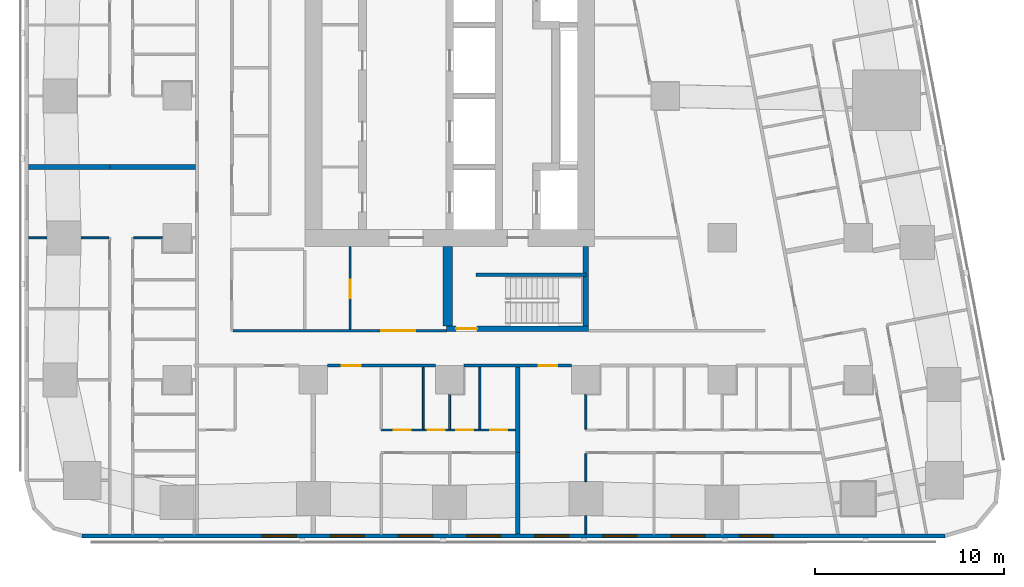
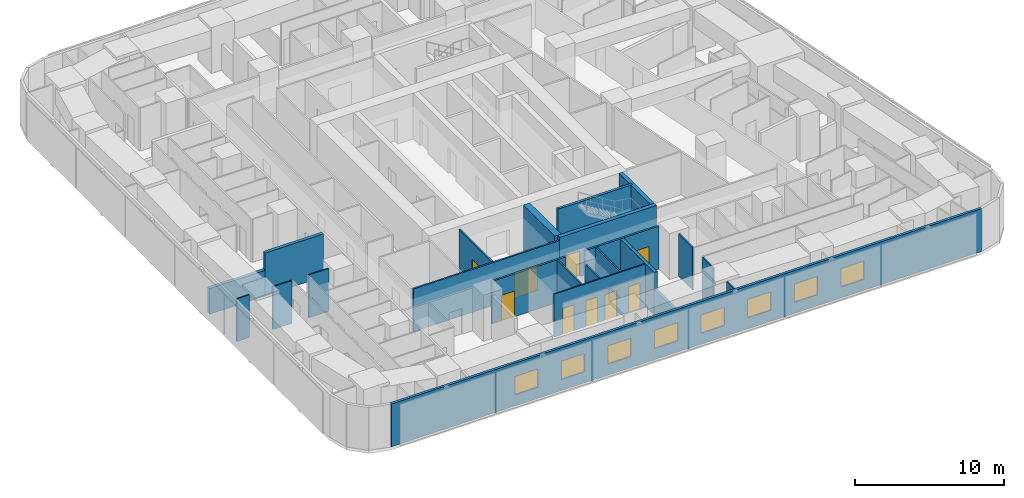
# One storey, part 3 of 15: 23 walls, 9 doors, 8 windows, 17 openings.
"""IFC4 building model written with IfcOpenShell, lengths in metres."""

from ifc_helpers import new_model, si_unit, direction, frame, frame_2d, origin, place, context, subcontext, project, spatial, rectangle, extrude, material, layer, layer_set, type_object, element, fill, save


model = new_model("IFC4")

# Units and contexts
model_context = context("Model", 3, precision=1e-05, world=origin(), true_north=direction((0.0, 1.0)))
body_context = subcontext(model_context, "Body", "Model", "MODEL_VIEW")
ifc_project = project(units=[si_unit("LENGTHUNIT", "METRE"), si_unit("AREAUNIT", "SQUARE_METRE"), si_unit("VOLUMEUNIT", "CUBIC_METRE"), si_unit("PLANEANGLEUNIT", "RADIAN"), si_unit("MASSUNIT", "GRAM", prefix="KILO")], contexts=[model_context])

# Site, building, storey
site_placement = place(None, origin())
site = spatial("IfcSite", under=ifc_project, at=site_placement, CompositionType="ELEMENT")
building_placement = place(site_placement, origin())
building = spatial("IfcBuilding", under=site, at=building_placement, Name="Sheger Commons Tower", CompositionType="ELEMENT")
storey_placement = place(building_placement, frame((0.0, 0.0, 147.050048828125)))
storey = spatial("IfcBuildingStorey", under=building, at=storey_placement, Name="L37", CompositionType="ELEMENT", Elevation=147.050048828125)

# Wall, opening, door
ifc_material_1 = material(Name="Hollow concrete block masonry, skimmed both sides", Category="masonry")
ifc_layer_1 = layer(ifc_material_1, 0.14990234375)
ifc_layer_set_1 = layer_set([ifc_layer_1], Name="CORRIDOR WALL 150")
wall_type_1 = type_object("IfcWallType", Name="CORRIDOR WALL 150", PredefinedType="SOLIDWALL", material=ifc_layer_set_1)
wall_1_placement = place(storey_placement, frame((28.049072265625, 8.25, 0.0), z_axis=(0.0, 0.0, 1.0), x_axis=(-1.0, 0.0, 0.0)))
wall_1 = element("IfcWall", 1, at=wall_1_placement, inside=storey, type_object=wall_type_1, Name="Corridor wall L37", PredefinedType="SOLIDWALL", context=body_context, shape_type="SweptSolid", body=[
    extrude(rectangle(XDim=5.697998046875, YDim=0.14990234375, at=frame_2d((2.84912109375, 0.0))), origin(), (0.0, 0.0, 1.0), 3.5),
])
opening_1_placement = place(wall_1_placement, frame((0.7490234375, 0.0, 0.0)))
opening_1 = element("IfcOpeningElement", 2, at=opening_1_placement, cuts=wall_1, Name="Opening D1", PredefinedType="OPENING", context=body_context, shape_type="SweptSolid", body=[
    extrude(rectangle(XDim=1.0, YDim=2.10009765625, at=frame_2d((0.5, 1.050048828125))), frame((0.0, 0.0849609375, 0.0), z_axis=(0.0, -1.0, 0.0), x_axis=(1.0, 0.0, 0.0)), (0.0, 0.0, 1.0), 0.169921875),
])
ifc_material_2 = material(Name="Steel door set, fire rated", Category="steel")
door_type_1 = type_object("IfcDoorType", Name="FLAT ENTRANCE DOOR 1000x2100", OperationType="NOTDEFINED", PredefinedType="DOOR", material=ifc_material_2)
door_1_placement = place(opening_1_placement, origin())
door_1 = element("IfcDoor", 3, at=door_1_placement, inside=storey, type_object=door_type_1, Name="Flat entrance door", OperationType="SINGLE_SWING_LEFT", OverallHeight=2.10009765625, OverallWidth=1.0, PredefinedType="DOOR", context=body_context, shape_type="SweptSolid", body=[
    extrude(rectangle(XDim=1.0, YDim=2.10009765625, at=frame_2d((0.5, 1.050048828125))), frame((0.0, 0.02490234375, 0.0), z_axis=(0.0, -1.0, 0.0), x_axis=(1.0, 0.0, 0.0)), (0.0, 0.0, 1.0), 0.050048828125),
])
fill(opening_1, door_1)

wall_2_placement = place(storey_placement, frame((20.84912109375, 8.25, 0.0), z_axis=(0.0, 0.0, 1.0), x_axis=(-1.0, 0.0, 0.0)))
wall_2 = element("IfcWall", 4, at=wall_2_placement, inside=storey, type_object=wall_type_1, Name="Corridor wall L37", PredefinedType="SOLIDWALL", context=body_context, shape_type="SweptSolid", body=[
    extrude(rectangle(XDim=5.6982421875, YDim=0.14990234375, at=frame_2d((2.84912109375, 0.0))), origin(), (0.0, 0.0, 1.0), 3.5),
])
opening_2_placement = place(wall_2_placement, frame((3.948974609375, 0.0, 0.0)))
opening_2 = element("IfcOpeningElement", 5, at=opening_2_placement, cuts=wall_2, Name="Opening D1", PredefinedType="OPENING", context=body_context, shape_type="SweptSolid", body=[
    extrude(rectangle(XDim=1.0, YDim=2.10009765625, at=frame_2d((0.5, 1.050048828125))), frame((0.0, 0.0849609375, 0.0), z_axis=(0.0, -1.0, 0.0), x_axis=(1.0, 0.0, 0.0)), (0.0, 0.0, 1.0), 0.169921875),
])
door_2_placement = place(opening_2_placement, origin())
door_2 = element("IfcDoor", 6, at=door_2_placement, inside=storey, type_object=door_type_1, Name="Flat entrance door", OperationType="SINGLE_SWING_RIGHT", OverallHeight=2.10009765625, OverallWidth=1.0, PredefinedType="DOOR", context=body_context, shape_type="SweptSolid", body=[
    extrude(rectangle(XDim=1.0, YDim=2.10009765625, at=frame_2d((0.5, 1.050048828125))), frame((0.0, 0.02490234375, 0.0), z_axis=(0.0, -1.0, 0.0), x_axis=(1.0, 0.0, 0.0)), (0.0, 0.0, 1.0), 0.050048828125),
])
fill(opening_2, door_2)

# Walls
ifc_material_3 = material(Name="Dense concrete block masonry, plastered both sides (separating wall between flats)", Category="masonry")
ifc_layer_2 = layer(ifc_material_3, 0.25)
ifc_layer_set_2 = layer_set([ifc_layer_2], Name="DEMISING WALL 250")
wall_type_2 = type_object("IfcWallType", Name="DEMISING WALL 250", PredefinedType="SOLIDWALL", material=ifc_layer_set_2)
wall_3_placement = place(storey_placement, frame((-0.64990234375, 18.75, 0.0), z_axis=(0.0, 0.0, 1.0), x_axis=(1.0, 0.0, 0.0)))
element("IfcWall", 7, at=wall_3_placement, inside=storey, type_object=wall_type_2, Name="Demising wall L37", PredefinedType="SOLIDWALL", context=body_context, shape_type="SweptSolid", body=[
    extrude(rectangle(XDim=4.2998046875, YDim=0.25, at=frame_2d((2.14990234375, 0.0))), origin(), (0.0, 0.0, 1.0), 2.099853515625),
])
wall_4_placement = place(storey_placement, frame((3.64990234375, 18.75, 0.0), z_axis=(0.0, 0.0, 1.0), x_axis=(1.0, 0.0, 0.0)))
element("IfcWall", 8, at=wall_4_placement, inside=storey, type_object=wall_type_2, Name="Demising wall L37", PredefinedType="SOLIDWALL", context=body_context, shape_type="SweptSolid", body=[
    extrude(rectangle(XDim=4.525146484375, YDim=0.25, at=frame_2d((2.2626953125, 0.0))), origin(), (0.0, 0.0, 1.0), 3.5),
])
wall_5_placement = place(storey_placement, frame((25.199951171875, -0.64990234375, 0.0), z_axis=(0.0, 0.0, 1.0), x_axis=(0.0, 1.0, 0.0)))
element("IfcWall", 9, at=wall_5_placement, inside=storey, type_object=wall_type_2, Name="Demising wall L37", PredefinedType="SOLIDWALL", context=body_context, shape_type="SweptSolid", body=[
    extrude(rectangle(XDim=4.2998046875, YDim=0.25, at=frame_2d((2.14990234375, 0.0))), origin(), (0.0, 0.0, 1.0), 2.099853515625),
])
wall_6_placement = place(storey_placement, frame((25.199951171875, 3.64990234375, 0.0), z_axis=(0.0, 0.0, 1.0), x_axis=(0.0, 1.0, 0.0)))
element("IfcWall", 10, at=wall_6_placement, inside=storey, type_object=wall_type_2, Name="Demising wall L37", PredefinedType="SOLIDWALL", context=body_context, shape_type="SweptSolid", body=[
    extrude(rectangle(XDim=4.525146484375, YDim=0.25, at=frame_2d((2.2626953125, 0.0))), origin(), (0.0, 0.0, 1.0), 3.5),
])

# Wall, openings, windows
ifc_material_4 = material(Name="Rendered concrete block masonry, dark grey", Category="masonry")
ifc_layer_3 = layer(ifc_material_4, 0.199951171875)
ifc_layer_set_3 = layer_set([ifc_layer_3], Name="FACADE WALL 200")
wall_type_3 = type_object("IfcWallType", Name="FACADE WALL 200", PredefinedType="SOLIDWALL", material=ifc_layer_set_3)
wall_7_placement = place(storey_placement, frame((2.1630859375, -0.75, 0.0), z_axis=(0.0, 0.0, 1.0), x_axis=(1.0, 0.0, 0.0)))
wall_7 = element("IfcWall", 11, at=wall_7_placement, inside=storey, type_object=wall_type_3, Name="Facade wall L37", PredefinedType="SOLIDWALL", context=body_context, shape_type="SweptSolid", body=[
    extrude(rectangle(XDim=45.6279296875, YDim=0.199951171875, at=frame_2d((22.81396484375, 0.0))), origin(), (0.0, 0.0, 1.0), 3.5),
])
opening_3_placement = place(wall_7_placement, frame((9.537109375, 0.0, 0.89990234375)))
opening_3 = element("IfcOpeningElement", 12, at=opening_3_placement, cuts=wall_7, Name="Opening W2", PredefinedType="OPENING", context=body_context, shape_type="SweptSolid", body=[
    extrude(rectangle(XDim=1.800048828125, YDim=1.5, at=frame_2d((0.89990234375, 0.75))), frame((0.0, 0.10986328125, 0.0), z_axis=(0.0, -1.0, 0.0), x_axis=(1.0, 0.0, 0.0)), (0.0, 0.0, 1.0), 0.219970703125),
])
opening_4_placement = place(wall_7_placement, frame((13.136962890625, 0.0, 0.89990234375)))
opening_4 = element("IfcOpeningElement", 13, at=opening_4_placement, cuts=wall_7, Name="Opening W2", PredefinedType="OPENING", context=body_context, shape_type="SweptSolid", body=[
    extrude(rectangle(XDim=1.800048828125, YDim=1.5, at=frame_2d((0.89990234375, 0.75))), frame((0.0, 0.10986328125, 0.0), z_axis=(0.0, -1.0, 0.0), x_axis=(1.0, 0.0, 0.0)), (0.0, 0.0, 1.0), 0.219970703125),
])
opening_5_placement = place(wall_7_placement, frame((16.737060546875, 0.0, 0.89990234375)))
opening_5 = element("IfcOpeningElement", 14, at=opening_5_placement, cuts=wall_7, Name="Opening W2", PredefinedType="OPENING", context=body_context, shape_type="SweptSolid", body=[
    extrude(rectangle(XDim=1.800048828125, YDim=1.5, at=frame_2d((0.89990234375, 0.75))), frame((0.0, 0.10986328125, 0.0), z_axis=(0.0, -1.0, 0.0), x_axis=(1.0, 0.0, 0.0)), (0.0, 0.0, 1.0), 0.219970703125),
])
opening_6_placement = place(wall_7_placement, frame((20.3369140625, 0.0, 0.89990234375)))
opening_6 = element("IfcOpeningElement", 15, at=opening_6_placement, cuts=wall_7, Name="Opening W2", PredefinedType="OPENING", context=body_context, shape_type="SweptSolid", body=[
    extrude(rectangle(XDim=1.800048828125, YDim=1.5, at=frame_2d((0.89990234375, 0.75))), frame((0.0, 0.10986328125, 0.0), z_axis=(0.0, -1.0, 0.0), x_axis=(1.0, 0.0, 0.0)), (0.0, 0.0, 1.0), 0.219970703125),
])
opening_7_placement = place(wall_7_placement, frame((23.93701171875, 0.0, 0.89990234375)))
opening_7 = element("IfcOpeningElement", 16, at=opening_7_placement, cuts=wall_7, Name="Opening W2", PredefinedType="OPENING", context=body_context, shape_type="SweptSolid", body=[
    extrude(rectangle(XDim=1.800048828125, YDim=1.5, at=frame_2d((0.89990234375, 0.75))), frame((0.0, 0.10986328125, 0.0), z_axis=(0.0, -1.0, 0.0), x_axis=(1.0, 0.0, 0.0)), (0.0, 0.0, 1.0), 0.219970703125),
])
opening_8_placement = place(wall_7_placement, frame((27.537109375, 0.0, 0.89990234375)))
opening_8 = element("IfcOpeningElement", 17, at=opening_8_placement, cuts=wall_7, Name="Opening W2", PredefinedType="OPENING", context=body_context, shape_type="SweptSolid", body=[
    extrude(rectangle(XDim=1.800048828125, YDim=1.5, at=frame_2d((0.89990234375, 0.75))), frame((0.0, 0.10986328125, 0.0), z_axis=(0.0, -1.0, 0.0), x_axis=(1.0, 0.0, 0.0)), (0.0, 0.0, 1.0), 0.219970703125),
])
opening_9_placement = place(wall_7_placement, frame((31.136962890625, 0.0, 0.89990234375)))
opening_9 = element("IfcOpeningElement", 18, at=opening_9_placement, cuts=wall_7, Name="Opening W2", PredefinedType="OPENING", context=body_context, shape_type="SweptSolid", body=[
    extrude(rectangle(XDim=1.800048828125, YDim=1.5, at=frame_2d((0.89990234375, 0.75))), frame((0.0, 0.10986328125, 0.0), z_axis=(0.0, -1.0, 0.0), x_axis=(1.0, 0.0, 0.0)), (0.0, 0.0, 1.0), 0.219970703125),
])
opening_10_placement = place(wall_7_placement, frame((34.737060546875, 0.0, 0.89990234375)))
opening_10 = element("IfcOpeningElement", 19, at=opening_10_placement, cuts=wall_7, Name="Opening W2", PredefinedType="OPENING", context=body_context, shape_type="SweptSolid", body=[
    extrude(rectangle(XDim=1.800048828125, YDim=1.5, at=frame_2d((0.89990234375, 0.75))), frame((0.0, 0.10986328125, 0.0), z_axis=(0.0, -1.0, 0.0), x_axis=(1.0, 0.0, 0.0)), (0.0, 0.0, 1.0), 0.219970703125),
])
ifc_material_5 = material(Name="Black aluminium frame, dark tinted double glazing", Category="aluminium")
window_type = type_object("IfcWindowType", Name="WINDOW W2 1800x1500", PartitioningType="SINGLE_PANEL", PredefinedType="WINDOW", material=ifc_material_5)
window_1_placement = place(opening_3_placement, origin())
window_1 = element("IfcWindow", 20, at=window_1_placement, inside=storey, type_object=window_type, Name="Window W2 1800X1500", OverallHeight=1.5, OverallWidth=1.800048828125, PartitioningType="SINGLE_PANEL", PredefinedType="WINDOW", context=body_context, shape_type="SweptSolid", body=[
    extrude(rectangle(XDim=1.800048828125, YDim=1.5, at=frame_2d((0.89990234375, 0.75))), frame((0.0, 0.030029296875, 0.0), z_axis=(0.0, -1.0, 0.0), x_axis=(1.0, 0.0, 0.0)), (0.0, 0.0, 1.0), 0.06005859375),
])
fill(opening_3, window_1)
window_2_placement = place(opening_4_placement, origin())
window_2 = element("IfcWindow", 21, at=window_2_placement, inside=storey, type_object=window_type, Name="Window W2 1800X1500", OverallHeight=1.5, OverallWidth=1.800048828125, PartitioningType="SINGLE_PANEL", PredefinedType="WINDOW", context=body_context, shape_type="SweptSolid", body=[
    extrude(rectangle(XDim=1.800048828125, YDim=1.5, at=frame_2d((0.89990234375, 0.75))), frame((0.0, 0.030029296875, 0.0), z_axis=(0.0, -1.0, 0.0), x_axis=(1.0, 0.0, 0.0)), (0.0, 0.0, 1.0), 0.06005859375),
])
fill(opening_4, window_2)
window_3_placement = place(opening_5_placement, origin())
window_3 = element("IfcWindow", 22, at=window_3_placement, inside=storey, type_object=window_type, Name="Window W2 1800X1500", OverallHeight=1.5, OverallWidth=1.800048828125, PartitioningType="SINGLE_PANEL", PredefinedType="WINDOW", context=body_context, shape_type="SweptSolid", body=[
    extrude(rectangle(XDim=1.800048828125, YDim=1.5, at=frame_2d((0.89990234375, 0.75))), frame((0.0, 0.030029296875, 0.0), z_axis=(0.0, -1.0, 0.0), x_axis=(1.0, 0.0, 0.0)), (0.0, 0.0, 1.0), 0.06005859375),
])
fill(opening_5, window_3)
window_4_placement = place(opening_6_placement, origin())
window_4 = element("IfcWindow", 23, at=window_4_placement, inside=storey, type_object=window_type, Name="Window W2 1800X1500", OverallHeight=1.5, OverallWidth=1.800048828125, PartitioningType="SINGLE_PANEL", PredefinedType="WINDOW", context=body_context, shape_type="SweptSolid", body=[
    extrude(rectangle(XDim=1.800048828125, YDim=1.5, at=frame_2d((0.89990234375, 0.75))), frame((0.0, 0.030029296875, 0.0), z_axis=(0.0, -1.0, 0.0), x_axis=(1.0, 0.0, 0.0)), (0.0, 0.0, 1.0), 0.06005859375),
])
fill(opening_6, window_4)
window_5_placement = place(opening_7_placement, origin())
window_5 = element("IfcWindow", 24, at=window_5_placement, inside=storey, type_object=window_type, Name="Window W2 1800X1500", OverallHeight=1.5, OverallWidth=1.800048828125, PartitioningType="SINGLE_PANEL", PredefinedType="WINDOW", context=body_context, shape_type="SweptSolid", body=[
    extrude(rectangle(XDim=1.800048828125, YDim=1.5, at=frame_2d((0.89990234375, 0.75))), frame((0.0, 0.030029296875, 0.0), z_axis=(0.0, -1.0, 0.0), x_axis=(1.0, 0.0, 0.0)), (0.0, 0.0, 1.0), 0.06005859375),
])
fill(opening_7, window_5)
window_6_placement = place(opening_8_placement, origin())
window_6 = element("IfcWindow", 25, at=window_6_placement, inside=storey, type_object=window_type, Name="Window W2 1800X1500", OverallHeight=1.5, OverallWidth=1.800048828125, PartitioningType="SINGLE_PANEL", PredefinedType="WINDOW", context=body_context, shape_type="SweptSolid", body=[
    extrude(rectangle(XDim=1.800048828125, YDim=1.5, at=frame_2d((0.89990234375, 0.75))), frame((0.0, 0.030029296875, 0.0), z_axis=(0.0, -1.0, 0.0), x_axis=(1.0, 0.0, 0.0)), (0.0, 0.0, 1.0), 0.06005859375),
])
fill(opening_8, window_6)
window_7_placement = place(opening_9_placement, origin())
window_7 = element("IfcWindow", 26, at=window_7_placement, inside=storey, type_object=window_type, Name="Window W2 1800X1500", OverallHeight=1.5, OverallWidth=1.800048828125, PartitioningType="SINGLE_PANEL", PredefinedType="WINDOW", context=body_context, shape_type="SweptSolid", body=[
    extrude(rectangle(XDim=1.800048828125, YDim=1.5, at=frame_2d((0.89990234375, 0.75))), frame((0.0, 0.030029296875, 0.0), z_axis=(0.0, -1.0, 0.0), x_axis=(1.0, 0.0, 0.0)), (0.0, 0.0, 1.0), 0.06005859375),
])
fill(opening_9, window_7)
window_8_placement = place(opening_10_placement, origin())
window_8 = element("IfcWindow", 27, at=window_8_placement, inside=storey, type_object=window_type, Name="Window W2 1800X1500", OverallHeight=1.5, OverallWidth=1.800048828125, PartitioningType="SINGLE_PANEL", PredefinedType="WINDOW", context=body_context, shape_type="SweptSolid", body=[
    extrude(rectangle(XDim=1.800048828125, YDim=1.5, at=frame_2d((0.89990234375, 0.75))), frame((0.0, 0.030029296875, 0.0), z_axis=(0.0, -1.0, 0.0), x_axis=(1.0, 0.0, 0.0)), (0.0, 0.0, 1.0), 0.06005859375),
])
fill(opening_10, window_8)

# Walls
ifc_material_6 = material(Name="Gypsum board on steel studs", Category="steel")
ifc_layer_4 = layer(ifc_material_6, 0.10009765625)
ifc_layer_set_4 = layer_set([ifc_layer_4], Name="PARTITION 100")
wall_type_4 = type_object("IfcWallType", Name="PARTITION 100", PredefinedType="PARTITIONING", material=ifc_layer_set_4)
wall_8_placement = place(storey_placement, frame((-0.64990234375, 15.0, 0.0), z_axis=(0.0, 0.0, 1.0), x_axis=(1.0, 0.0, 0.0)))
element("IfcWall", 28, at=wall_8_placement, inside=storey, type_object=wall_type_4, Name="Partition L37", PredefinedType="PARTITIONING", context=body_context, shape_type="SweptSolid", body=[
    extrude(rectangle(XDim=0.973876953125, YDim=0.10009765625, at=frame_2d((0.48681640625, 0.0))), origin(), (0.0, 0.0, 1.0), 3.5),
])
wall_9_placement = place(storey_placement, frame((2.1259765625, 15.0, 0.0), z_axis=(0.0, 0.0, 1.0), x_axis=(1.0, 0.0, 0.0)))
element("IfcWall", 29, at=wall_9_placement, inside=storey, type_object=wall_type_4, Name="Partition L37", PredefinedType="PARTITIONING", context=body_context, shape_type="SweptSolid", body=[
    extrude(rectangle(XDim=1.47412109375, YDim=0.10009765625, at=frame_2d((0.737060546875, 0.0))), origin(), (0.0, 0.0, 1.0), 3.5),
])
wall_10_placement = place(storey_placement, frame((4.89990234375, 15.0, 0.0), z_axis=(0.0, 0.0, 1.0), x_axis=(1.0, 0.0, 0.0)))
element("IfcWall", 30, at=wall_10_placement, inside=storey, type_object=wall_type_4, Name="Partition L37", PredefinedType="PARTITIONING", context=body_context, shape_type="SweptSolid", body=[
    extrude(rectangle(XDim=1.549072265625, YDim=0.10009765625, at=frame_2d((0.7744140625, 0.0))), origin(), (0.0, 0.0, 1.0), 3.5),
])

# Wall, openings, doors
wall_11_placement = place(storey_placement, frame((25.074951171875, 4.85009765625, 0.0), z_axis=(0.0, 0.0, 1.0), x_axis=(-1.0, 0.0, 0.0)))
wall_11 = element("IfcWall", 31, at=wall_11_placement, inside=storey, type_object=wall_type_4, Name="Partition L37", PredefinedType="PARTITIONING", context=body_context, shape_type="SweptSolid", body=[
    extrude(rectangle(XDim=7.074951171875, YDim=0.10009765625, at=frame_2d((3.53759765625, 0.0))), origin(), (0.0, 0.0, 1.0), 3.5),
])
opening_11_placement = place(wall_11_placement, frame((5.52001953125, 0.0, 0.0)))
opening_11 = element("IfcOpeningElement", 32, at=opening_11_placement, cuts=wall_11, Name="Opening D2", PredefinedType="OPENING", context=body_context, shape_type="SweptSolid", body=[
    extrude(rectangle(XDim=0.89990234375, YDim=2.10009765625, at=frame_2d((0.449951171875, 1.050048828125))), frame((0.0, 0.06005859375, 0.0), z_axis=(0.0, -1.0, 0.0), x_axis=(1.0, 0.0, 0.0)), (0.0, 0.0, 1.0), 0.1201171875),
])
opening_12_placement = place(wall_11_placement, frame((2.22509765625, 0.0, 0.0)))
opening_12 = element("IfcOpeningElement", 33, at=opening_12_placement, cuts=wall_11, Name="Opening D2", PredefinedType="OPENING", context=body_context, shape_type="SweptSolid", body=[
    extrude(rectangle(XDim=0.89990234375, YDim=2.10009765625, at=frame_2d((0.449951171875, 1.050048828125))), frame((0.0, 0.06005859375, 0.0), z_axis=(0.0, -1.0, 0.0), x_axis=(1.0, 0.0, 0.0)), (0.0, 0.0, 1.0), 0.1201171875),
])
opening_13_placement = place(wall_11_placement, frame((3.719970703125, 0.0, 0.0)))
opening_13 = element("IfcOpeningElement", 34, at=opening_13_placement, cuts=wall_11, Name="Opening D2", PredefinedType="OPENING", context=body_context, shape_type="SweptSolid", body=[
    extrude(rectangle(XDim=0.89990234375, YDim=2.10009765625, at=frame_2d((0.449951171875, 1.050048828125))), frame((0.0, 0.06005859375, 0.0), z_axis=(0.0, -1.0, 0.0), x_axis=(1.0, 0.0, 0.0)), (0.0, 0.0, 1.0), 0.1201171875),
])
opening_14_placement = place(wall_11_placement, frame((0.425048828125, 0.0, 0.0)))
opening_14 = element("IfcOpeningElement", 35, at=opening_14_placement, cuts=wall_11, Name="Opening D2", PredefinedType="OPENING", context=body_context, shape_type="SweptSolid", body=[
    extrude(rectangle(XDim=0.89990234375, YDim=2.10009765625, at=frame_2d((0.449951171875, 1.050048828125))), frame((0.0, 0.06005859375, 0.0), z_axis=(0.0, -1.0, 0.0), x_axis=(1.0, 0.0, 0.0)), (0.0, 0.0, 1.0), 0.1201171875),
])
ifc_material_7 = material(Name="Timber door set", Category="wood")
door_type_2 = type_object("IfcDoorType", Name="INTERNAL DOOR 900x2100", OperationType="NOTDEFINED", PredefinedType="DOOR", material=ifc_material_7)
door_3_placement = place(opening_11_placement, origin())
door_3 = element("IfcDoor", 36, at=door_3_placement, inside=storey, type_object=door_type_2, Name="Bathroom door", OperationType="SINGLE_SWING_LEFT", OverallHeight=2.10009765625, OverallWidth=0.89990234375, PredefinedType="DOOR", context=body_context, shape_type="SweptSolid", body=[
    extrude(rectangle(XDim=0.89990234375, YDim=2.10009765625, at=frame_2d((0.449951171875, 1.050048828125))), frame((0.0, 0.02490234375, 0.0), z_axis=(0.0, -1.0, 0.0), x_axis=(1.0, 0.0, 0.0)), (0.0, 0.0, 1.0), 0.050048828125),
])
fill(opening_11, door_3)
door_4_placement = place(opening_12_placement, origin())
door_4 = element("IfcDoor", 37, at=door_4_placement, inside=storey, type_object=door_type_2, Name="Shower room door", OperationType="SINGLE_SWING_LEFT", OverallHeight=2.10009765625, OverallWidth=0.89990234375, PredefinedType="DOOR", context=body_context, shape_type="SweptSolid", body=[
    extrude(rectangle(XDim=0.89990234375, YDim=2.10009765625, at=frame_2d((0.449951171875, 1.050048828125))), frame((0.0, 0.02490234375, 0.0), z_axis=(0.0, -1.0, 0.0), x_axis=(1.0, 0.0, 0.0)), (0.0, 0.0, 1.0), 0.050048828125),
])
fill(opening_12, door_4)
door_5_placement = place(opening_13_placement, origin())
door_5 = element("IfcDoor", 38, at=door_5_placement, inside=storey, type_object=door_type_2, Name="Store door", OperationType="SINGLE_SWING_LEFT", OverallHeight=2.10009765625, OverallWidth=0.89990234375, PredefinedType="DOOR", context=body_context, shape_type="SweptSolid", body=[
    extrude(rectangle(XDim=0.89990234375, YDim=2.10009765625, at=frame_2d((0.449951171875, 1.050048828125))), frame((0.0, 0.02490234375, 0.0), z_axis=(0.0, -1.0, 0.0), x_axis=(1.0, 0.0, 0.0)), (0.0, 0.0, 1.0), 0.050048828125),
])
fill(opening_13, door_5)
door_6_placement = place(opening_14_placement, origin())
door_6 = element("IfcDoor", 39, at=door_6_placement, inside=storey, type_object=door_type_2, Name="Store door", OperationType="SINGLE_SWING_RIGHT", OverallHeight=2.10009765625, OverallWidth=0.89990234375, PredefinedType="DOOR", context=body_context, shape_type="SweptSolid", body=[
    extrude(rectangle(XDim=0.89990234375, YDim=2.10009765625, at=frame_2d((0.449951171875, 1.050048828125))), frame((0.0, 0.02490234375, 0.0), z_axis=(0.0, -1.0, 0.0), x_axis=(1.0, 0.0, 0.0)), (0.0, 0.0, 1.0), 0.050048828125),
])
fill(opening_14, door_6)

# Walls
wall_12_placement = place(storey_placement, frame((21.60009765625, 4.89990234375, 0.0), z_axis=(0.0, 0.0, 1.0), x_axis=(0.0, 1.0, 0.0)))
element("IfcWall", 40, at=wall_12_placement, inside=storey, type_object=wall_type_4, Name="Partition L37", PredefinedType="PARTITIONING", context=body_context, shape_type="SweptSolid", body=[
    extrude(rectangle(XDim=1.84912109375, YDim=0.10009765625, at=frame_2d((0.924560546875, 0.0))), origin(), (0.0, 0.0, 1.0), 3.5),
])
for number, where, z_axis, x_axis, name in (
    (41, (20.2099609375, 4.89990234375, 0.0), (0.0, 0.0, 1.0), (0.0, 1.0, 0.0), "Partition L37"),
    (42, (23.199951171875, 4.89990234375, 0.0), (0.0, 0.0, 1.0), (0.0, 1.0, 0.0), "Partition L37"),
):
    element("IfcWall", number, at=place(storey_placement, frame(where, z_axis=z_axis, x_axis=x_axis)), inside=storey, type_object=wall_type_4, Name=name, PredefinedType="PARTITIONING", context=body_context, shape_type="SweptSolid", body=[
        extrude(rectangle(XDim=3.275146484375, YDim=0.10009765625, at=frame_2d((1.6376953125, 0.0))), origin(), (0.0, 0.0, 1.0), 3.5),
    ])
wall_13_placement = place(storey_placement, frame((28.800048828125, -0.64990234375, 0.0), z_axis=(0.0, 0.0, 1.0), x_axis=(0.0, 1.0, 0.0)))
element("IfcWall", 43, at=wall_13_placement, inside=storey, type_object=wall_type_4, Name="Partition L37", PredefinedType="PARTITIONING", context=body_context, shape_type="SweptSolid", body=[
    extrude(rectangle(XDim=0.973876953125, YDim=0.10009765625, at=frame_2d((0.48681640625, 0.0))), origin(), (0.0, 0.0, 1.0), 3.5),
])
wall_14_placement = place(storey_placement, frame((28.800048828125, 2.1259765625, 0.0), z_axis=(0.0, 0.0, 1.0), x_axis=(0.0, 1.0, 0.0)))
element("IfcWall", 44, at=wall_14_placement, inside=storey, type_object=wall_type_4, Name="Partition L37", PredefinedType="PARTITIONING", context=body_context, shape_type="SweptSolid", body=[
    extrude(rectangle(XDim=1.47412109375, YDim=0.10009765625, at=frame_2d((0.737060546875, 0.0))), origin(), (0.0, 0.0, 1.0), 3.5),
])
wall_15_placement = place(storey_placement, frame((28.800048828125, 4.89990234375, 0.0), z_axis=(0.0, 0.0, 1.0), x_axis=(0.0, 1.0, 0.0)))
element("IfcWall", 45, at=wall_15_placement, inside=storey, type_object=wall_type_4, Name="Partition L37", PredefinedType="PARTITIONING", context=body_context, shape_type="SweptSolid", body=[
    extrude(rectangle(XDim=1.84912109375, YDim=0.10009765625, at=frame_2d((0.924560546875, 0.0))), origin(), (0.0, 0.0, 1.0), 3.5),
])

# Wall, opening, door
ifc_material_8 = material(Name="Gypsum board on steel studs, two layers each side, fire rated", Category="steel")
ifc_layer_5 = layer(ifc_material_8, 0.125)
ifc_layer_set_5 = layer_set([ifc_layer_5], Name="SERVICE WALL 125")
wall_type_5 = type_object("IfcWallType", Name="SERVICE WALL 125", PredefinedType="PARTITIONING", material=ifc_layer_set_5)
wall_16_placement = place(storey_placement, frame((10.162109375, 10.10009765625, 0.0), z_axis=(0.0, 0.0, 1.0), x_axis=(1.0, 0.0, 0.0)))
wall_16 = element("IfcWall", 46, at=wall_16_placement, inside=storey, type_object=wall_type_5, Name="Service room wall L37", PredefinedType="PARTITIONING", context=body_context, shape_type="SweptSolid", body=[
    extrude(rectangle(XDim=11.287841796875, YDim=0.125, at=frame_2d((5.64404296875, 0.0))), origin(), (0.0, 0.0, 1.0), 3.5),
])
opening_15_placement = place(wall_16_placement, frame((7.8330078125, 0.0, 0.0)))
opening_15 = element("IfcOpeningElement", 47, at=opening_15_placement, cuts=wall_16, Name="Opening D6", PredefinedType="OPENING", context=body_context, shape_type="SweptSolid", body=[
    extrude(rectangle(XDim=1.800048828125, YDim=2.10009765625, at=frame_2d((0.89990234375, 1.050048828125))), frame((0.0, 0.072509765625, 0.0), z_axis=(0.0, -1.0, 0.0), x_axis=(1.0, 0.0, 0.0)), (0.0, 0.0, 1.0), 0.14501953125),
])
ifc_material_9 = material(Name="Steel door set, fire rated", Category="steel")
door_type_3 = type_object("IfcDoorType", Name="LOBBY DOUBLE DOOR 1800x2100", OperationType="DOUBLE_DOOR_SINGLE_SWING", PredefinedType="DOOR", material=ifc_material_9)
door_7_placement = place(opening_15_placement, origin())
door_7 = element("IfcDoor", 48, at=door_7_placement, inside=storey, type_object=door_type_3, Name="Lift lobby south door", OperationType="DOUBLE_DOOR_SINGLE_SWING", OverallHeight=2.10009765625, OverallWidth=1.800048828125, PredefinedType="DOOR", context=body_context, shape_type="SweptSolid", body=[
    extrude(rectangle(XDim=1.800048828125, YDim=2.10009765625, at=frame_2d((0.89990234375, 1.050048828125))), frame((0.0, 0.02490234375, 0.0), z_axis=(0.0, -1.0, 0.0), x_axis=(1.0, 0.0, 0.0)), (0.0, 0.0, 1.0), 0.050048828125),
])
fill(opening_15, door_7)

wall_17_placement = place(storey_placement, frame((16.340087890625, 10.1630859375, 0.0), z_axis=(0.0, 0.0, 1.0), x_axis=(0.0, 1.0, 0.0)))
wall_17 = element("IfcWall", 49, at=wall_17_placement, inside=storey, type_object=wall_type_5, Name="Service room wall L37", PredefinedType="PARTITIONING", context=body_context, shape_type="SweptSolid", body=[
    extrude(rectangle(XDim=4.386962890625, YDim=0.125, at=frame_2d((2.193359375, 0.0))), origin(), (0.0, 0.0, 1.0), 3.5),
])
opening_16_placement = place(wall_17_placement, frame((1.636962890625, 0.0, 0.0)))
opening_16 = element("IfcOpeningElement", 50, at=opening_16_placement, cuts=wall_17, Name="Opening D4", PredefinedType="OPENING", context=body_context, shape_type="SweptSolid", body=[
    extrude(rectangle(XDim=1.0, YDim=2.10009765625, at=frame_2d((0.5, 1.050048828125))), frame((0.0, 0.072509765625, 0.0), z_axis=(0.0, -1.0, 0.0), x_axis=(1.0, 0.0, 0.0)), (0.0, 0.0, 1.0), 0.14501953125),
])
ifc_material_10 = material(Name="Steel door set, fire rated", Category="steel")
door_type_4 = type_object("IfcDoorType", Name="SERVICE DOOR 1000x2100", OperationType="NOTDEFINED", PredefinedType="DOOR", material=ifc_material_10)
door_8_placement = place(opening_16_placement, origin())
door_8 = element("IfcDoor", 51, at=door_8_placement, inside=storey, type_object=door_type_4, Name="Electrical room door", OperationType="SINGLE_SWING_LEFT", OverallHeight=2.10009765625, OverallWidth=1.0, PredefinedType="DOOR", context=body_context, shape_type="SweptSolid", body=[
    extrude(rectangle(XDim=1.0, YDim=2.10009765625, at=frame_2d((0.5, 1.050048828125))), frame((0.0, 0.02490234375, 0.0), z_axis=(0.0, -1.0, 0.0), x_axis=(1.0, 0.0, 0.0)), (0.0, 0.0, 1.0), 0.050048828125),
])
fill(opening_16, door_8)

ifc_material_11 = material(Name="Concrete C50/60", Category="concrete")
ifc_layer_6 = layer(ifc_material_11, 0.300048828125)
ifc_layer_set_6 = layer_set([ifc_layer_6], Name="STAIR CORE WALL 300")
wall_type_6 = type_object("IfcWallType", Name="STAIR CORE WALL 300", PredefinedType="SHEAR", material=ifc_layer_set_6)
wall_18_placement = place(storey_placement, frame((21.449951171875, 10.199951171875, 0.0), z_axis=(0.0, 0.0, 1.0), x_axis=(1.0, 0.0, 0.0)))
wall_18 = element("IfcWall", 52, at=wall_18_placement, inside=storey, type_object=wall_type_6, Name="STW-L37-S1S", PredefinedType="SHEAR", context=body_context, shape_type="SweptSolid", body=[
    extrude(rectangle(XDim=7.5, YDim=0.300048828125, at=frame_2d((3.75, 0.0))), origin(), (0.0, 0.0, 1.0), 3.75),
])
opening_17_placement = place(wall_18_placement, frame((0.5, 0.0, 0.0)))
opening_17 = element("IfcOpeningElement", 53, at=opening_17_placement, cuts=wall_18, Name="Opening D5", PredefinedType="OPENING", context=body_context, shape_type="SweptSolid", body=[
    extrude(rectangle(XDim=1.10009765625, YDim=2.10009765625, at=frame_2d((0.550048828125, 1.050048828125))), frame((0.0, 0.159912109375, 0.0), z_axis=(0.0, -1.0, 0.0), x_axis=(1.0, 0.0, 0.0)), (0.0, 0.0, 1.0), 0.320068359375),
])
ifc_material_12 = material(Name="Steel door set, fire rated", Category="steel")
door_type_5 = type_object("IfcDoorType", Name="STAIR DOOR 1100x2100", OperationType="NOTDEFINED", PredefinedType="DOOR", material=ifc_material_12)
door_9_placement = place(opening_17_placement, origin())
door_9 = element("IfcDoor", 54, at=door_9_placement, inside=storey, type_object=door_type_5, Name="Stair S1 door", OperationType="SINGLE_SWING_LEFT", OverallHeight=2.10009765625, OverallWidth=1.10009765625, PredefinedType="DOOR", context=body_context, shape_type="SweptSolid", body=[
    extrude(rectangle(XDim=1.10009765625, YDim=2.10009765625, at=frame_2d((0.550048828125, 1.050048828125))), frame((0.0, 0.02490234375, 0.0), z_axis=(0.0, -1.0, 0.0), x_axis=(1.0, 0.0, 0.0)), (0.0, 0.0, 1.0), 0.050048828125),
])
fill(opening_17, door_9)

# Walls
wall_19_placement = place(storey_placement, frame((28.800048828125, 10.35009765625, 0.0), z_axis=(0.0, 0.0, 1.0), x_axis=(0.0, 1.0, 0.0)))
element("IfcWall", 55, at=wall_19_placement, inside=storey, type_object=wall_type_6, Name="STW-L37-S1E", PredefinedType="SHEAR", context=body_context, shape_type="SweptSolid", body=[
    extrude(rectangle(XDim=4.199951171875, YDim=0.300048828125, at=frame_2d((2.10009765625, 0.0))), origin(), (0.0, 0.0, 1.0), 3.75),
])
ifc_material_13 = material(Name="Concrete C50/60", Category="concrete")
ifc_layer_7 = layer(ifc_material_13, 0.5)
ifc_layer_set_7 = layer_set([ifc_layer_7], Name="STAIR CORE WALL 500")
wall_type_7 = type_object("IfcWallType", Name="STAIR CORE WALL 500", PredefinedType="SHEAR", material=ifc_layer_set_7)
wall_20_placement = place(storey_placement, frame((21.5, 10.35009765625, 0.0), z_axis=(0.0, 0.0, 1.0), x_axis=(0.0, 1.0, 0.0)))
element("IfcWall", 56, at=wall_20_placement, inside=storey, type_object=wall_type_7, Name="STW-L37-S1W", PredefinedType="SHEAR", context=body_context, shape_type="SweptSolid", body=[
    extrude(rectangle(XDim=4.199951171875, YDim=0.5, at=frame_2d((2.10009765625, 0.0))), origin(), (0.0, 0.0, 1.0), 3.75),
])
ifc_material_14 = material(Name="Concrete C50/60", Category="concrete")
ifc_layer_8 = layer(ifc_material_14, 0.199951171875)
ifc_layer_set_8 = layer_set([ifc_layer_8], Name="STAIR SPINE WALL 200")
wall_type_8 = type_object("IfcWallType", Name="STAIR SPINE WALL 200", PredefinedType="SHEAR", material=ifc_layer_set_8)
wall_21_placement = place(storey_placement, frame((23.0, 13.050048828125, 0.0), z_axis=(0.0, 0.0, 1.0), x_axis=(1.0, 0.0, 0.0)))
element("IfcWall", 57, at=wall_21_placement, inside=storey, type_object=wall_type_8, Name="Stair spine wall L37", PredefinedType="SHEAR", context=body_context, shape_type="SweptSolid", body=[
    extrude(rectangle(XDim=5.800048828125, YDim=0.199951171875, at=frame_2d((2.89990234375, 0.0))), origin(), (0.0, 0.0, 1.0), 3.75),
])

save(model, "model.ifc")
